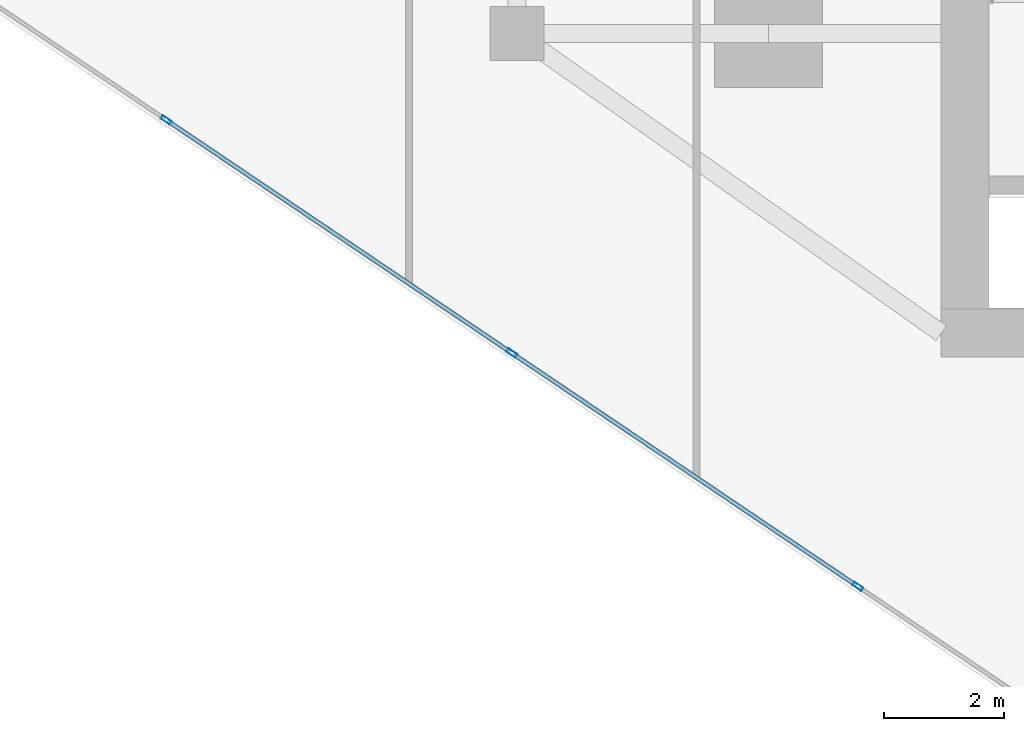
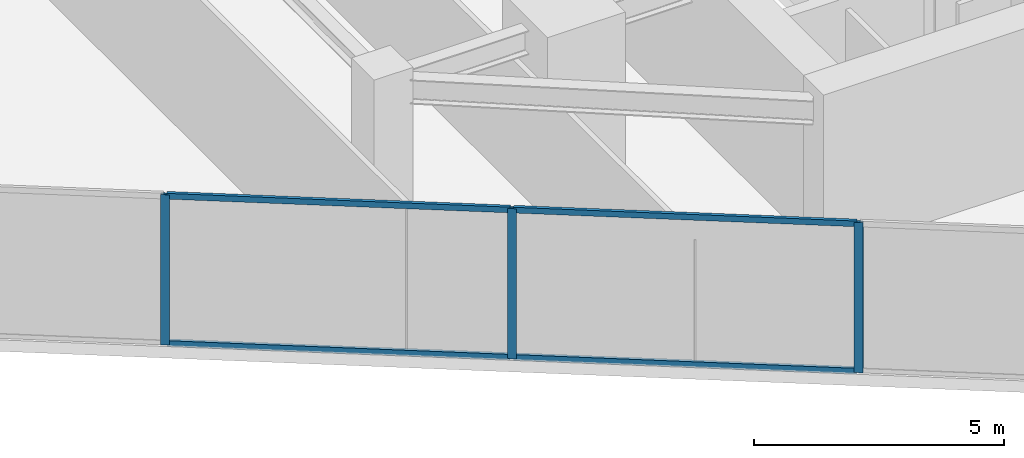
# One storey, part 2 of 27: 7 members, 1 element without a shape of its own.
"""IFC4 building model written with IfcOpenShell, lengths in metres."""

from ifc_helpers import new_model, si_unit, direction, frame, origin, origin_2d, place, context, subcontext, project, spatial, hollow_rectangle, extrude, source, transform, mapped, material, material_profile, profile_set, type_object, type_shapes, element, aggregate, save


model = new_model("IFC4")

# Units and contexts
model_context = context("Model", 3, precision=1e-05, world=origin(), true_north=direction((0.0, 1.0)))
body_context = subcontext(model_context, "Body", "Model", "MODEL_VIEW")
ifc_project = project(units=[si_unit("LENGTHUNIT", "METRE"), si_unit("AREAUNIT", "SQUARE_METRE"), si_unit("VOLUMEUNIT", "CUBIC_METRE"), si_unit("PLANEANGLEUNIT", "RADIAN"), si_unit("MASSUNIT", "GRAM", prefix="KILO")], contexts=[model_context])

# Site, building, storey
site_placement = place(None, origin())
site = spatial("IfcSite", under=ifc_project, at=site_placement, CompositionType="ELEMENT")
building_placement = place(site_placement, origin())
building = spatial("IfcBuilding", under=site, at=building_placement, Name="Krantzveldt Concourse Tower", CompositionType="ELEMENT")
storey_placement = place(building_placement, frame((0.0, 0.0, 189.64990234375)))
storey = spatial("IfcBuildingStorey", under=building, at=storey_placement, Name="L46", CompositionType="ELEMENT", Elevation=189.64990234375)

# Curtain wall, members
ifc_material = material(Name="Anodised aluminium 6063-T6", Category="aluminium")
curtain_wall_type = type_object("IfcCurtainWallType", Name="CW3", PredefinedType="USERDEFINED", material=ifc_material)
curtain_wall_placement = place(storey_placement, origin())
curtain_wall = element("IfcCurtainWall", 1, at=curtain_wall_placement, inside=storey, type_object=curtain_wall_type, Name="CW-L46-F04", ObjectType="UNITISED CURTAIN WALL", PredefinedType="USERDEFINED")
ifc_material_profile_1 = material_profile(ifc_material, hollow_rectangle(XDim=0.070068359375, YDim=0.179931640625, WallThickness=0.0048828125, at=origin_2d()), Name="Anodised aluminium 6063-T6", Category="aluminium")
ifc_profile_set_1 = profile_set([ifc_material_profile_1], Name="Anodised aluminium 6063-T6 - ALU-MULL 180x70x5")
member_type_1 = type_object("IfcMemberType", Name="CW-MUL-180", PredefinedType="MULLION", material=ifc_profile_set_1)
shared_shape_1 = source(origin(), body_context, "Body", "SweptSolid", [
    extrude(hollow_rectangle(XDim=0.070068359375, YDim=0.179931640625, WallThickness=0.0048828125, at=origin_2d()), origin(), (0.0, 0.0, 1.0), 3.670166015625),
])
type_shapes(member_type_1, [shared_shape_1])
member_1_placement = place(storey_placement, frame((15.14892578125, 14.45654296875, 0.0), z_axis=(0.0, 0.0, 1.0), x_axis=(0.559192810447, 0.829037635301, 0.0)))
member_1 = element("IfcMember", 2, at=member_1_placement, type_object=member_type_1, Name="CW-Z34 mullion 2", PredefinedType="MULLION", context=body_context, shape_type="MappedRepresentation", body=[
    mapped(shared_shape_1, transform((0.0, 0.0, 0.0), x_axis=(1.0, 0.0, 0.0), y_axis=(0.0, 1.0, 0.0), z_axis=(0.0, 0.0, 1.0), scale=1.0)),
])
member_2_placement = place(storey_placement, frame((20.9189453125, 10.564697265625, 0.0), z_axis=(0.0, 0.0, 1.0), x_axis=(0.559192810447, 0.829037635301, 0.0)))
member_2 = element("IfcMember", 3, at=member_2_placement, type_object=member_type_1, Name="CW-Z34 mullion 3", PredefinedType="MULLION", context=body_context, shape_type="MappedRepresentation", body=[
    mapped(shared_shape_1, transform((0.0, 0.0, 0.0), x_axis=(1.0, 0.0, 0.0), y_axis=(0.0, 1.0, 0.0), z_axis=(0.0, 0.0, 1.0), scale=1.0)),
])
member_3_placement = place(storey_placement, frame((26.68896484375, 6.672607421875, 0.0), z_axis=(0.0, 0.0, 1.0), x_axis=(0.559192810447, 0.829037635301, 0.0)))
member_3 = element("IfcMember", 4, at=member_3_placement, type_object=member_type_1, Name="CW-Z34 mullion 4", PredefinedType="MULLION", context=body_context, shape_type="MappedRepresentation", body=[
    mapped(shared_shape_1, transform((0.0, 0.0, 0.0), x_axis=(1.0, 0.0, 0.0), y_axis=(0.0, 1.0, 0.0), z_axis=(0.0, 0.0, 1.0), scale=1.0)),
])
ifc_material_profile_2 = material_profile(ifc_material, hollow_rectangle(XDim=0.070068359375, YDim=0.139892578125, WallThickness=0.0048828125, at=origin_2d()), Name="Anodised aluminium 6063-T6", Category="aluminium")
ifc_profile_set_2 = profile_set([ifc_material_profile_2], Name="Anodised aluminium 6063-T6 - ALU-TRAN 140x70x5")
member_type_2 = type_object("IfcMemberType", Name="CW-TRN-150", PredefinedType="USERDEFINED", material=ifc_profile_set_2)
shared_shape_2 = source(origin(), body_context, "Body", "SweptSolid", [
    extrude(hollow_rectangle(XDim=0.070068359375, YDim=0.139892578125, WallThickness=0.0048828125, at=origin_2d()), origin(), (0.0, 0.0, 1.0), 6.89013671875),
])
member_4_placement = place(storey_placement, frame((20.947998046875, 10.545166015625, 0.03515625), z_axis=(0.829045387848, -0.559181316648, 0.0), x_axis=(0.559181316648, 0.829045387848, 0.0)))
member_4 = element("IfcMember", 5, at=member_4_placement, type_object=member_type_2, Name="CW-Z34 transom 3.1", ObjectType="TRANSOM", PredefinedType="USERDEFINED", context=body_context, shape_type="MappedRepresentation", body=[
    mapped(shared_shape_2, transform((0.0, 0.0, 0.0), x_axis=(1.0, 0.0, 0.0), y_axis=(0.0, 1.0, 0.0), z_axis=(0.0, 0.0, 1.0), scale=1.0)),
])
member_5_placement = place(storey_placement, frame((20.947998046875, 10.545166015625, 3.635009765625), z_axis=(0.829045387848, -0.559181316648, 0.0), x_axis=(0.559181316648, 0.829045387848, 0.0)))
member_5 = element("IfcMember", 6, at=member_5_placement, type_object=member_type_2, Name="CW-Z34 transom 3.2", ObjectType="TRANSOM", PredefinedType="USERDEFINED", context=body_context, shape_type="MappedRepresentation", body=[
    mapped(shared_shape_2, transform((0.0, 0.0, 0.0), x_axis=(1.0, 0.0, 0.0), y_axis=(0.0, 1.0, 0.0), z_axis=(0.0, 0.0, 1.0), scale=1.0)),
])
shared_shape_3 = source(origin(), body_context, "Body", "SweptSolid", [
    extrude(hollow_rectangle(XDim=0.070068359375, YDim=0.139892578125, WallThickness=0.0048828125, at=origin_2d()), origin(), (0.0, 0.0, 1.0), 6.889892578125),
])
type_shapes(member_type_2, [shared_shape_2, shared_shape_3])
member_6_placement = place(storey_placement, frame((15.177978515625, 14.43701171875, 0.03515625), z_axis=(0.829034307776, -0.559197743675, 0.0), x_axis=(0.559197743675, 0.829034307776, 0.0)))
member_6 = element("IfcMember", 7, at=member_6_placement, type_object=member_type_2, Name="CW-Z34 transom 2.1", ObjectType="TRANSOM", PredefinedType="USERDEFINED", context=body_context, shape_type="MappedRepresentation", body=[
    mapped(shared_shape_3, transform((0.0, 0.0, 0.0), x_axis=(1.0, 0.0, 0.0), y_axis=(0.0, 1.0, 0.0), z_axis=(0.0, 0.0, 1.0), scale=1.0)),
])
member_7_placement = place(storey_placement, frame((15.177978515625, 14.43701171875, 3.635009765625), z_axis=(0.829034307776, -0.559197743675, 0.0), x_axis=(0.559197743675, 0.829034307776, 0.0)))
member_7 = element("IfcMember", 8, at=member_7_placement, type_object=member_type_2, Name="CW-Z34 transom 2.2", ObjectType="TRANSOM", PredefinedType="USERDEFINED", context=body_context, shape_type="MappedRepresentation", body=[
    mapped(shared_shape_3, transform((0.0, 0.0, 0.0), x_axis=(1.0, 0.0, 0.0), y_axis=(0.0, 1.0, 0.0), z_axis=(0.0, 0.0, 1.0), scale=1.0)),
])
aggregate(curtain_wall, [member_1, member_2, member_3, member_6, member_7, member_4, member_5])

save(model, "model.ifc")
